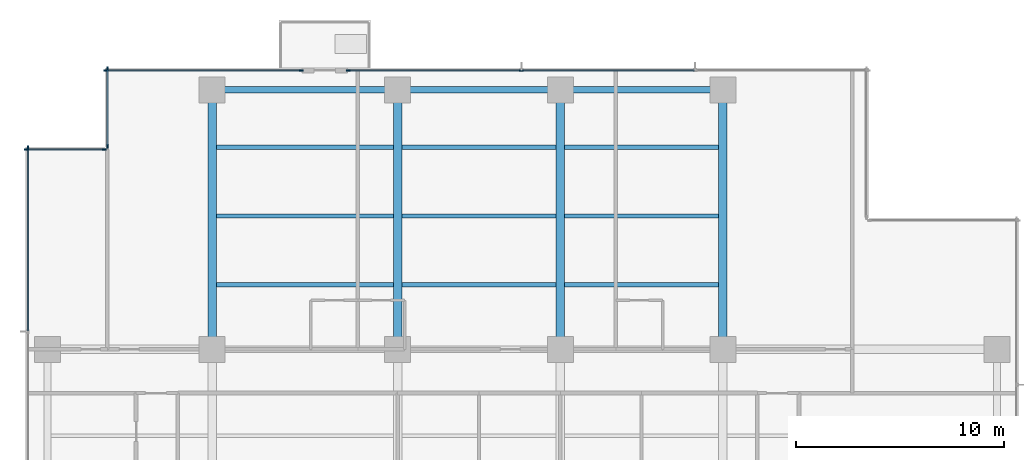
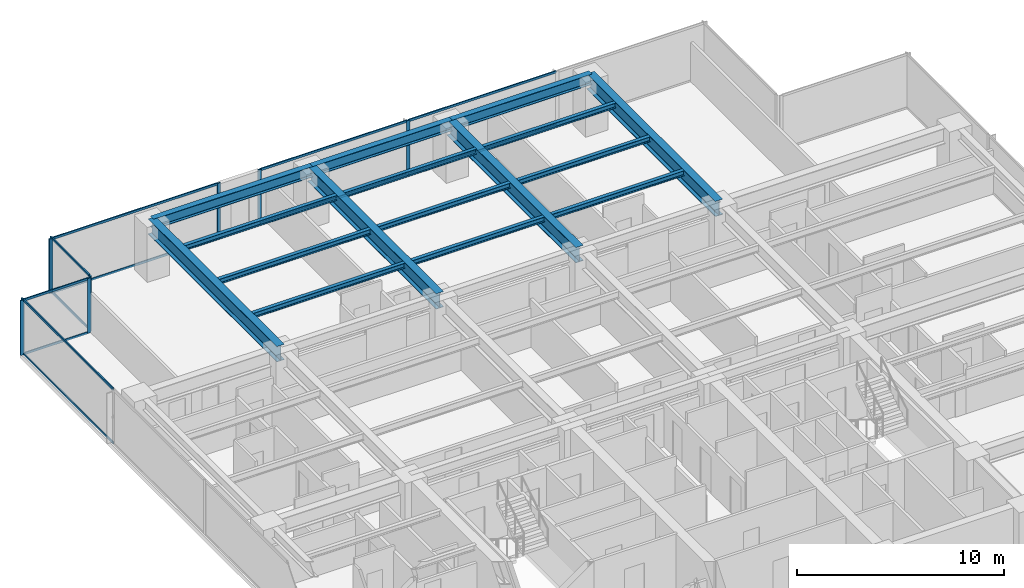
# One storey, part 5 of 17: 21 members, 16 beams, 5 elements without a shape of their own.
"""IFC4 building model written with IfcOpenShell, lengths in metres."""

from ifc_helpers import new_model, si_unit, direction, frame, origin, origin_2d, place, context, subcontext, project, spatial, rectangle, i_section, extrude, material, layer, layer_set, material_profile, profile_set, type_object, element, aggregate, save


model = new_model("IFC4")

# Units and contexts
model_context = context("Model", 3, precision=1e-05, world=origin(), true_north=direction((0.0, 1.0)))
body_context = subcontext(model_context, "Body", "Model", "MODEL_VIEW")
ifc_project = project(units=[si_unit("LENGTHUNIT", "METRE"), si_unit("AREAUNIT", "SQUARE_METRE"), si_unit("VOLUMEUNIT", "CUBIC_METRE"), si_unit("PLANEANGLEUNIT", "RADIAN"), si_unit("MASSUNIT", "GRAM", prefix="KILO")], contexts=[model_context])

# Site, building, storey
site_placement = place(None, origin())
site = spatial("IfcSite", under=ifc_project, at=site_placement, CompositionType="ELEMENT")
building_placement = place(site_placement, origin())
building = spatial("IfcBuilding", under=site, at=building_placement, Name="Qalmaran Belvedere Hotel", CompositionType="ELEMENT")
storey_placement = place(building_placement, frame((0.0, 0.0, 116.199951171875)))
storey = spatial("IfcBuildingStorey", under=building, at=storey_placement, Name="L29", CompositionType="ELEMENT", Elevation=116.199951171875)

# Beams
ifc_material_1 = material(Name="Steel S355JR", Category="steel")
ifc_material_profile_1 = material_profile(ifc_material_1, i_section(OverallWidth=0.202880859375, OverallDepth=0.302978515625, WebThickness=0.007568359375, FlangeThickness=0.01318359375, FilletRadius=0.012939453125, at=origin_2d()), Name="W310X60")
ifc_profile_set_1 = profile_set([ifc_material_profile_1], Name="Steel S355JR")
beam_type_1 = type_object("IfcBeamType", Name="BM-JST-W310X60", PredefinedType="JOIST", material=ifc_profile_set_1)
beam_1_placement = place(storey_placement, frame((20.507080078125, 36.10009765625, 3.088623046875), z_axis=(1.0, 0.0, 0.0), x_axis=(0.0, 1.0, 0.0)))
element("IfcBeam", 1, at=beam_1_placement, inside=storey, type_object=beam_type_1, Name="L29 North Floor Joist 042", PredefinedType="JOIST", context=body_context, shape_type="SweptSolid", body=[
    extrude(i_section(OverallWidth=0.202880859375, OverallDepth=0.302978515625, WebThickness=0.007568359375, FlangeThickness=0.01318359375, FilletRadius=0.012939453125, at=origin_2d()), origin(), (0.0, 0.0, 1.0), 8.48583984375),
])
for number, where, z_axis, x_axis, name in (
    (2, (29.406982421875, 36.10009765625, 3.088623046875), (1.0, 0.0, 0.0), (0.0, 1.0, 0.0), "L29 North Floor Joist 043"),
    (3, (37.20703125, 36.10009765625, 3.088623046875), (1.0, 0.0, 0.0), (0.0, 1.0, 0.0), "L29 North Floor Joist 044"),
):
    element("IfcBeam", number, at=place(storey_placement, frame(where, z_axis=z_axis, x_axis=x_axis)), inside=storey, type_object=beam_type_1, Name=name, PredefinedType="JOIST", context=body_context, shape_type="SweptSolid", body=[
        extrude(i_section(OverallWidth=0.202880859375, OverallDepth=0.302978515625, WebThickness=0.007568359375, FlangeThickness=0.01318359375, FilletRadius=0.012939453125, at=origin_2d()), origin(), (0.0, 0.0, 1.0), 7.385986328125),
    ])
beam_2_placement = place(storey_placement, frame((20.507080078125, 39.39990234375, 3.088623046875), z_axis=(1.0, 0.0, 0.0), x_axis=(0.0, 1.0, 0.0)))
element("IfcBeam", 4, at=beam_2_placement, inside=storey, type_object=beam_type_1, Name="L29 North Floor Joist 045", PredefinedType="JOIST", context=body_context, shape_type="SweptSolid", body=[
    extrude(i_section(OverallWidth=0.202880859375, OverallDepth=0.302978515625, WebThickness=0.007568359375, FlangeThickness=0.01318359375, FilletRadius=0.012939453125, at=origin_2d()), origin(), (0.0, 0.0, 1.0), 8.48583984375),
])
for number, where, z_axis, x_axis, name in (
    (5, (29.406982421875, 39.39990234375, 3.088623046875), (1.0, 0.0, 0.0), (0.0, 1.0, 0.0), "L29 North Floor Joist 046"),
    (6, (37.20703125, 39.39990234375, 3.088623046875), (1.0, 0.0, 0.0), (0.0, 1.0, 0.0), "L29 North Floor Joist 047"),
):
    element("IfcBeam", number, at=place(storey_placement, frame(where, z_axis=z_axis, x_axis=x_axis)), inside=storey, type_object=beam_type_1, Name=name, PredefinedType="JOIST", context=body_context, shape_type="SweptSolid", body=[
        extrude(i_section(OverallWidth=0.202880859375, OverallDepth=0.302978515625, WebThickness=0.007568359375, FlangeThickness=0.01318359375, FilletRadius=0.012939453125, at=origin_2d()), origin(), (0.0, 0.0, 1.0), 7.385986328125),
    ])
beam_3_placement = place(storey_placement, frame((20.507080078125, 42.699951171875, 3.088623046875), z_axis=(1.0, 0.0, 0.0), x_axis=(0.0, 1.0, 0.0)))
element("IfcBeam", 7, at=beam_3_placement, inside=storey, type_object=beam_type_1, Name="L29 North Floor Joist 048", PredefinedType="JOIST", context=body_context, shape_type="SweptSolid", body=[
    extrude(i_section(OverallWidth=0.202880859375, OverallDepth=0.302978515625, WebThickness=0.007568359375, FlangeThickness=0.01318359375, FilletRadius=0.012939453125, at=origin_2d()), origin(), (0.0, 0.0, 1.0), 8.48583984375),
])
for number, where, z_axis, x_axis, name in (
    (8, (29.406982421875, 42.699951171875, 3.088623046875), (1.0, 0.0, 0.0), (0.0, 1.0, 0.0), "L29 North Floor Joist 049"),
    (9, (37.20703125, 42.699951171875, 3.088623046875), (1.0, 0.0, 0.0), (0.0, 1.0, 0.0), "L29 North Floor Joist 050"),
):
    element("IfcBeam", number, at=place(storey_placement, frame(where, z_axis=z_axis, x_axis=x_axis)), inside=storey, type_object=beam_type_1, Name=name, PredefinedType="JOIST", context=body_context, shape_type="SweptSolid", body=[
        extrude(i_section(OverallWidth=0.202880859375, OverallDepth=0.302978515625, WebThickness=0.007568359375, FlangeThickness=0.01318359375, FilletRadius=0.012939453125, at=origin_2d()), origin(), (0.0, 0.0, 1.0), 7.385986328125),
    ])
ifc_material_profile_2 = material_profile(ifc_material_1, i_section(OverallWidth=0.41796875, OverallDepth=0.912109375, WebThickness=0.019287109375, FlangeThickness=0.031982421875, FilletRadius=0.02392578125, at=origin_2d()), Name="W920X342")
ifc_profile_set_2 = profile_set([ifc_material_profile_2], Name="Steel S355JR")
beam_type_2 = type_object("IfcBeamType", Name="BM-PG2-W920X342", PredefinedType="USERDEFINED", material=ifc_profile_set_2)
for number, where, z_axis, x_axis, name in (
    (10, (20.300048828125, 33.0, 2.783935546875), (0.0, 1.0, 0.0), (-1.0, 0.0, 0.0), "L29 North Bay Girder 15"),
    (11, (29.199951171875, 33.0, 2.783935546875), (0.0, 1.0, 0.0), (-1.0, 0.0, 0.0), "L29 North Bay Girder 17"),
    (12, (37.0, 33.0, 2.783935546875), (0.0, 1.0, 0.0), (-1.0, 0.0, 0.0), "L29 North Bay Girder 19"),
    (13, (44.800048828125, 33.0, 2.783935546875), (0.0, 1.0, 0.0), (-1.0, 0.0, 0.0), "L29 North Bay Girder 21"),
):
    element("IfcBeam", number, at=place(storey_placement, frame(where, z_axis=z_axis, x_axis=x_axis)), inside=storey, type_object=beam_type_2, Name=name, ObjectType="GIRDER", PredefinedType="USERDEFINED", context=body_context, shape_type="SweptSolid", body=[
        extrude(i_section(OverallWidth=0.41796875, OverallDepth=0.912109375, WebThickness=0.019287109375, FlangeThickness=0.031982421875, FilletRadius=0.02392578125, at=origin_2d()), origin(), (0.0, 0.0, 1.0), 12.449951171875),
    ])
ifc_material_profile_3 = material_profile(ifc_material_1, i_section(OverallWidth=0.326904296875, OverallDepth=0.6220703125, WebThickness=0.015380859375, FlangeThickness=0.0244140625, FilletRadius=0.02001953125, at=origin_2d()), Name="W610X195")
ifc_profile_set_3 = profile_set([ifc_material_profile_3], Name="Steel S355JR")
beam_type_3 = type_object("IfcBeamType", Name="BM-SP1-W610X195", PredefinedType="SPANDREL", material=ifc_profile_set_3)
beam_4_placement = place(storey_placement, frame((20.300048828125, 45.449951171875, 2.928955078125), z_axis=(1.0, 0.0, 0.0), x_axis=(0.0, 1.0, 0.0)))
element("IfcBeam", 14, at=beam_4_placement, inside=storey, type_object=beam_type_3, Name="L29 Perimeter Spandrel 05", PredefinedType="SPANDREL", context=body_context, shape_type="SweptSolid", body=[
    extrude(i_section(OverallWidth=0.326904296875, OverallDepth=0.6220703125, WebThickness=0.015380859375, FlangeThickness=0.0244140625, FilletRadius=0.02001953125, at=origin_2d()), origin(), (0.0, 0.0, 1.0), 8.89990234375),
])
for number, where, z_axis, x_axis, name in (
    (15, (29.199951171875, 45.449951171875, 2.928955078125), (1.0, 0.0, 0.0), (0.0, 1.0, 0.0), "L29 Perimeter Spandrel 06"),
    (16, (37.0, 45.449951171875, 2.928955078125), (1.0, 0.0, 0.0), (0.0, 1.0, 0.0), "L29 Perimeter Spandrel 07"),
):
    element("IfcBeam", number, at=place(storey_placement, frame(where, z_axis=z_axis, x_axis=x_axis)), inside=storey, type_object=beam_type_3, Name=name, PredefinedType="SPANDREL", context=body_context, shape_type="SweptSolid", body=[
        extrude(i_section(OverallWidth=0.326904296875, OverallDepth=0.6220703125, WebThickness=0.015380859375, FlangeThickness=0.0244140625, FilletRadius=0.02001953125, at=origin_2d()), origin(), (0.0, 0.0, 1.0), 7.800048828125),
    ])

# Curtain wall, members
ifc_material_2 = material(Name="Anodised Bronze Aluminium", Category="aluminium")
ifc_layer = layer(ifc_material_2, 0.199951171875, Name="Anodised Bronze Aluminium")
ifc_layer_set = layer_set([ifc_layer], Name="Anodised Bronze Aluminium")
curtain_wall_type = type_object("IfcCurtainWallType", Name="CW3-TOWER-LOWMID", PredefinedType="NOTDEFINED", material=ifc_layer_set)
curtain_wall_1_placement = place(storey_placement, origin())
curtain_wall_1 = element("IfcCurtainWall", 17, at=curtain_wall_1_placement, inside=storey, type_object=curtain_wall_type, Name="L29 Curtain Wall CW3", PredefinedType="NOTDEFINED")
ifc_material_profile_4 = material_profile(ifc_material_2, rectangle(XDim=0.070068359375, YDim=0.18994140625, at=origin_2d()), Name="CWM70X190")
ifc_profile_set_4 = profile_set([ifc_material_profile_4], Name="Anodised Bronze Aluminium")
member_type_1 = type_object("IfcMemberType", Name="CWM-70X190", PredefinedType="MULLION", material=ifc_profile_set_4)
member_1_placement = place(storey_placement, frame((24.56494140625, 46.3798828125, 0.0), z_axis=(0.0, 0.0, 1.0), x_axis=(0.0, -1.0, 0.0)))
member_1 = element("IfcMember", 18, at=member_1_placement, type_object=member_type_1, Name="CW3 mullion 1", PredefinedType="MULLION", context=body_context, shape_type="SweptSolid", body=[
    extrude(rectangle(XDim=0.070068359375, YDim=0.18994140625, at=origin_2d()), origin(), (0.0, 0.0, 1.0), 3.239990234375),
])
member_2_placement = place(storey_placement, frame((15.18505859375, 46.3798828125, 0.0), z_axis=(0.0, 0.0, 1.0), x_axis=(0.0, -1.0, 0.0)))
member_2 = element("IfcMember", 19, at=member_2_placement, type_object=member_type_1, Name="CW3 mullion 2", PredefinedType="MULLION", context=body_context, shape_type="SweptSolid", body=[
    extrude(rectangle(XDim=0.070068359375, YDim=0.18994140625, at=origin_2d()), origin(), (0.0, 0.0, 1.0), 3.239990234375),
])

curtain_wall_2_placement = place(storey_placement, origin())
curtain_wall_2 = element("IfcCurtainWall", 20, at=curtain_wall_2_placement, inside=storey, type_object=curtain_wall_type, Name="L29 Curtain Wall CW3", PredefinedType="NOTDEFINED")
member_3_placement = place(storey_placement, frame((35.13330078125, 46.3798828125, 0.0), z_axis=(0.0, 0.0, 1.0), x_axis=(0.0, -1.0, 0.0)))
member_3 = element("IfcMember", 21, at=member_3_placement, type_object=member_type_1, Name="CW3 mullion 3", PredefinedType="MULLION", context=body_context, shape_type="SweptSolid", body=[
    extrude(rectangle(XDim=0.070068359375, YDim=0.18994140625, at=origin_2d()), origin(), (0.0, 0.0, 1.0), 3.239990234375),
])
member_4_placement = place(storey_placement, frame((26.8349609375, 46.3798828125, 0.0), z_axis=(0.0, 0.0, 1.0), x_axis=(0.0, -1.0, 0.0)))
member_4 = element("IfcMember", 22, at=member_4_placement, type_object=member_type_1, Name="CW3 mullion 4", PredefinedType="MULLION", context=body_context, shape_type="SweptSolid", body=[
    extrude(rectangle(XDim=0.070068359375, YDim=0.18994140625, at=origin_2d()), origin(), (0.0, 0.0, 1.0), 3.239990234375),
])

curtain_wall_3_placement = place(storey_placement, origin())
curtain_wall_3 = element("IfcCurtainWall", 23, at=curtain_wall_3_placement, inside=storey, type_object=curtain_wall_type, Name="L29 Curtain Wall CW3", PredefinedType="NOTDEFINED")
member_5_placement = place(storey_placement, frame((15.27001953125, 46.465087890625, 0.0), z_axis=(0.0, 0.0, 1.0), x_axis=(1.0, 0.0, 0.0)))
member_5 = element("IfcMember", 24, at=member_5_placement, type_object=member_type_1, Name="CW3 mullion 1", PredefinedType="MULLION", context=body_context, shape_type="SweptSolid", body=[
    extrude(rectangle(XDim=0.070068359375, YDim=0.18994140625, at=origin_2d()), origin(), (0.0, 0.0, 1.0), 3.239990234375),
])
member_6_placement = place(storey_placement, frame((15.27001953125, 42.735107421875, 0.0), z_axis=(0.0, 0.0, 1.0), x_axis=(1.0, 0.0, 0.0)))
member_6 = element("IfcMember", 25, at=member_6_placement, type_object=member_type_1, Name="CW3 mullion 2", PredefinedType="MULLION", context=body_context, shape_type="SweptSolid", body=[
    extrude(rectangle(XDim=0.070068359375, YDim=0.18994140625, at=origin_2d()), origin(), (0.0, 0.0, 1.0), 3.239990234375),
])

curtain_wall_4_placement = place(storey_placement, origin())
curtain_wall_4 = element("IfcCurtainWall", 26, at=curtain_wall_4_placement, inside=storey, type_object=curtain_wall_type, Name="L29 Curtain Wall CW3", PredefinedType="NOTDEFINED")
member_7_placement = place(storey_placement, frame((15.114990234375, 42.580078125, 0.0), z_axis=(0.0, 0.0, 1.0), x_axis=(0.0, -1.0, 0.0)))
member_7 = element("IfcMember", 27, at=member_7_placement, type_object=member_type_1, Name="CW3 mullion 1", PredefinedType="MULLION", context=body_context, shape_type="SweptSolid", body=[
    extrude(rectangle(XDim=0.070068359375, YDim=0.18994140625, at=origin_2d()), origin(), (0.0, 0.0, 1.0), 3.239990234375),
])
member_8_placement = place(storey_placement, frame((11.385009765625, 42.580078125, 0.0), z_axis=(0.0, 0.0, 1.0), x_axis=(0.0, -1.0, 0.0)))
member_8 = element("IfcMember", 28, at=member_8_placement, type_object=member_type_1, Name="CW3 mullion 2", PredefinedType="MULLION", context=body_context, shape_type="SweptSolid", body=[
    extrude(rectangle(XDim=0.070068359375, YDim=0.18994140625, at=origin_2d()), origin(), (0.0, 0.0, 1.0), 3.239990234375),
])

# Curtain wall, member
curtain_wall_5_placement = place(storey_placement, origin())
curtain_wall_5 = element("IfcCurtainWall", 29, at=curtain_wall_5_placement, inside=storey, type_object=curtain_wall_type, Name="L29 Curtain Wall CW3", PredefinedType="NOTDEFINED")
member_9_placement = place(storey_placement, frame((11.469970703125, 42.6650390625, 0.0), z_axis=(0.0, 0.0, 1.0), x_axis=(1.0, 0.0, 0.0)))
member_9 = element("IfcMember", 30, at=member_9_placement, type_object=member_type_1, Name="CW3 mullion 1", PredefinedType="MULLION", context=body_context, shape_type="SweptSolid", body=[
    extrude(rectangle(XDim=0.070068359375, YDim=0.18994140625, at=origin_2d()), origin(), (0.0, 0.0, 1.0), 3.239990234375),
])

# Member
ifc_material_profile_5 = material_profile(ifc_material_2, rectangle(XDim=0.06494140625, YDim=0.1298828125, at=origin_2d()), Name="CWT65X130")
ifc_profile_set_5 = profile_set([ifc_material_profile_5], Name="Anodised Bronze Aluminium")
member_type_2 = type_object("IfcMemberType", Name="CWT-65X130", PredefinedType="USERDEFINED", material=ifc_profile_set_5)
member_10_placement = place(storey_placement, frame((24.530029296875, 46.3798828125, 0.032470703125), z_axis=(-1.0, 0.0, 0.0), x_axis=(0.0, -1.0, 0.0)))
member_10 = element("IfcMember", 31, at=member_10_placement, type_object=member_type_2, Name="CW3 transom 1.1", ObjectType="TRANSOM", PredefinedType="USERDEFINED", context=body_context, shape_type="SweptSolid", body=[
    extrude(rectangle(XDim=0.06494140625, YDim=0.1298828125, at=origin_2d()), origin(), (0.0, 0.0, 1.0), 9.31005859375),
])

member_11_placement = place(storey_placement, frame((24.530029296875, 46.3798828125, 3.20751953125), z_axis=(-1.0, 0.0, 0.0), x_axis=(0.0, -1.0, 0.0)))
member_11 = element("IfcMember", 32, at=member_11_placement, type_object=member_type_2, Name="CW3 transom 1.2", ObjectType="TRANSOM", PredefinedType="USERDEFINED", context=body_context, shape_type="SweptSolid", body=[
    extrude(rectangle(XDim=0.06494140625, YDim=0.1298828125, at=origin_2d()), origin(), (0.0, 0.0, 1.0), 9.31005859375),
])

aggregate(curtain_wall_1, [member_1, member_2, member_10, member_11])

member_12_placement = place(storey_placement, frame((43.431640625, 46.3798828125, 0.032470703125), z_axis=(-1.0, 0.0, 0.0), x_axis=(0.0, -1.0, 0.0)))
member_12 = element("IfcMember", 33, at=member_12_placement, type_object=member_type_2, Name="CW3 transom 2.1", ObjectType="TRANSOM", PredefinedType="USERDEFINED", context=body_context, shape_type="SweptSolid", body=[
    extrude(rectangle(XDim=0.06494140625, YDim=0.1298828125, at=origin_2d()), origin(), (0.0, 0.0, 1.0), 8.263427734375),
])

member_13_placement = place(storey_placement, frame((43.431640625, 46.3798828125, 3.20751953125), z_axis=(-1.0, 0.0, 0.0), x_axis=(0.0, -1.0, 0.0)))
member_13 = element("IfcMember", 34, at=member_13_placement, type_object=member_type_2, Name="CW3 transom 2.2", ObjectType="TRANSOM", PredefinedType="USERDEFINED", context=body_context, shape_type="SweptSolid", body=[
    extrude(rectangle(XDim=0.06494140625, YDim=0.1298828125, at=origin_2d()), origin(), (0.0, 0.0, 1.0), 8.263427734375),
])

member_14_placement = place(storey_placement, frame((35.098388671875, 46.3798828125, 0.032470703125), z_axis=(-1.0, 0.0, 0.0), x_axis=(0.0, -1.0, 0.0)))
member_14 = element("IfcMember", 35, at=member_14_placement, type_object=member_type_2, Name="CW3 transom 3.1", ObjectType="TRANSOM", PredefinedType="USERDEFINED", context=body_context, shape_type="SweptSolid", body=[
    extrude(rectangle(XDim=0.06494140625, YDim=0.1298828125, at=origin_2d()), origin(), (0.0, 0.0, 1.0), 8.228271484375),
])

member_15_placement = place(storey_placement, frame((35.098388671875, 46.3798828125, 3.20751953125), z_axis=(-1.0, 0.0, 0.0), x_axis=(0.0, -1.0, 0.0)))
member_15 = element("IfcMember", 36, at=member_15_placement, type_object=member_type_2, Name="CW3 transom 3.2", ObjectType="TRANSOM", PredefinedType="USERDEFINED", context=body_context, shape_type="SweptSolid", body=[
    extrude(rectangle(XDim=0.06494140625, YDim=0.1298828125, at=origin_2d()), origin(), (0.0, 0.0, 1.0), 8.228271484375),
])

aggregate(curtain_wall_2, [member_3, member_4, member_12, member_13, member_14, member_15])

member_16_placement = place(storey_placement, frame((15.27001953125, 46.429931640625, 0.032470703125), z_axis=(0.0, -1.0, 0.0), x_axis=(1.0, 0.0, 0.0)))
member_16 = element("IfcMember", 37, at=member_16_placement, type_object=member_type_2, Name="CW3 transom 1.1", ObjectType="TRANSOM", PredefinedType="USERDEFINED", context=body_context, shape_type="SweptSolid", body=[
    extrude(rectangle(XDim=0.06494140625, YDim=0.1298828125, at=origin_2d()), origin(), (0.0, 0.0, 1.0), 3.659912109375),
])

member_17_placement = place(storey_placement, frame((15.27001953125, 46.429931640625, 3.20751953125), z_axis=(0.0, -1.0, 0.0), x_axis=(1.0, 0.0, 0.0)))
member_17 = element("IfcMember", 38, at=member_17_placement, type_object=member_type_2, Name="CW3 transom 1.2", ObjectType="TRANSOM", PredefinedType="USERDEFINED", context=body_context, shape_type="SweptSolid", body=[
    extrude(rectangle(XDim=0.06494140625, YDim=0.1298828125, at=origin_2d()), origin(), (0.0, 0.0, 1.0), 3.659912109375),
])

aggregate(curtain_wall_3, [member_5, member_6, member_16, member_17])

member_18_placement = place(storey_placement, frame((15.080078125, 42.580078125, 0.032470703125), z_axis=(-1.0, 0.0, 0.0), x_axis=(0.0, -1.0, 0.0)))
member_18 = element("IfcMember", 39, at=member_18_placement, type_object=member_type_2, Name="CW3 transom 1.1", ObjectType="TRANSOM", PredefinedType="USERDEFINED", context=body_context, shape_type="SweptSolid", body=[
    extrude(rectangle(XDim=0.06494140625, YDim=0.1298828125, at=origin_2d()), origin(), (0.0, 0.0, 1.0), 3.66015625),
])

member_19_placement = place(storey_placement, frame((15.080078125, 42.580078125, 3.20751953125), z_axis=(-1.0, 0.0, 0.0), x_axis=(0.0, -1.0, 0.0)))
member_19 = element("IfcMember", 40, at=member_19_placement, type_object=member_type_2, Name="CW3 transom 1.2", ObjectType="TRANSOM", PredefinedType="USERDEFINED", context=body_context, shape_type="SweptSolid", body=[
    extrude(rectangle(XDim=0.06494140625, YDim=0.1298828125, at=origin_2d()), origin(), (0.0, 0.0, 1.0), 3.66015625),
])

aggregate(curtain_wall_4, [member_7, member_8, member_18, member_19])

member_20_placement = place(storey_placement, frame((11.469970703125, 42.6298828125, 0.032470703125), z_axis=(0.0, -1.0, 0.0), x_axis=(1.0, 0.0, 0.0)))
member_20 = element("IfcMember", 41, at=member_20_placement, type_object=member_type_2, Name="CW3 transom 1.1", ObjectType="TRANSOM", PredefinedType="USERDEFINED", context=body_context, shape_type="SweptSolid", body=[
    extrude(rectangle(XDim=0.06494140625, YDim=0.1298828125, at=origin_2d()), origin(), (0.0, 0.0, 1.0), 8.744873046875),
])

member_21_placement = place(storey_placement, frame((11.469970703125, 42.6298828125, 3.20751953125), z_axis=(0.0, -1.0, 0.0), x_axis=(1.0, 0.0, 0.0)))
member_21 = element("IfcMember", 42, at=member_21_placement, type_object=member_type_2, Name="CW3 transom 1.2", ObjectType="TRANSOM", PredefinedType="USERDEFINED", context=body_context, shape_type="SweptSolid", body=[
    extrude(rectangle(XDim=0.06494140625, YDim=0.1298828125, at=origin_2d()), origin(), (0.0, 0.0, 1.0), 8.744873046875),
])

aggregate(curtain_wall_5, [member_9, member_20, member_21])

save(model, "model.ifc")
